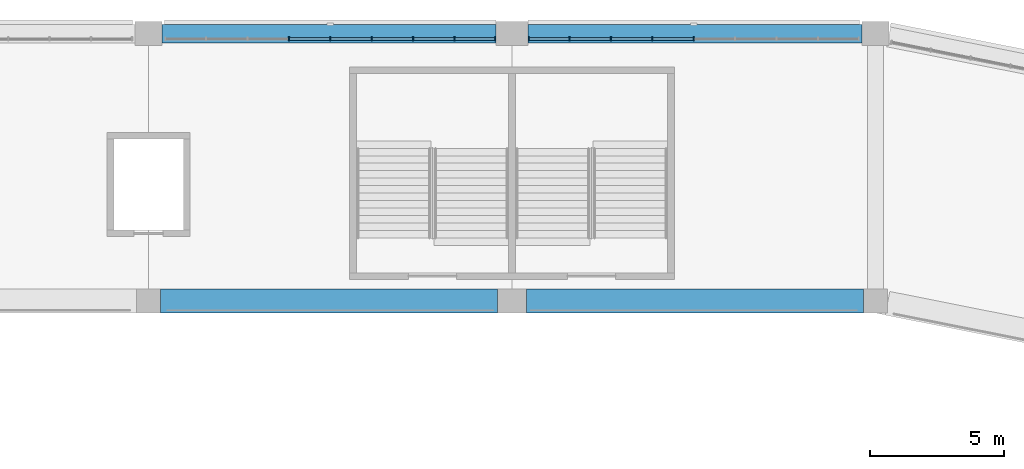
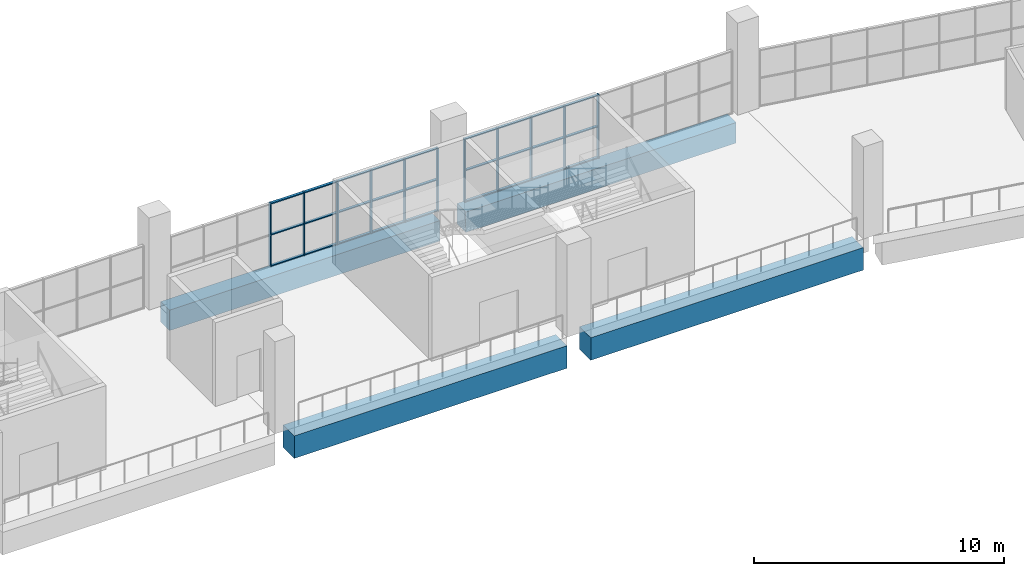
# One storey, part 34 of 177: 38 members, 4 beams, 2 elements without a shape of their own.
"""IFC4 building model written with IfcOpenShell, lengths in metres."""

from ifc_helpers import new_model, si_unit, direction, frame, origin, origin_2d, place, context, subcontext, project, spatial, rectangle, extrude, material, material_profile, profile_set, type_object, element, aggregate, save


model = new_model("IFC4")

# Units and contexts
model_context = context("Model", 3, precision=1e-05, world=origin(), true_north=direction((0.0, 1.0)))
body_context = subcontext(model_context, "Body", "Model", "MODEL_VIEW")
ifc_project = project(units=[si_unit("LENGTHUNIT", "METRE"), si_unit("AREAUNIT", "SQUARE_METRE"), si_unit("VOLUMEUNIT", "CUBIC_METRE"), si_unit("PLANEANGLEUNIT", "RADIAN"), si_unit("MASSUNIT", "GRAM", prefix="KILO")], contexts=[model_context])

# Site, building, storey
site_placement = place(None, origin())
site = spatial("IfcSite", under=ifc_project, at=site_placement, CompositionType="ELEMENT")
building_placement = place(site_placement, origin())
building = spatial("IfcBuilding", under=site, at=building_placement, Name="Ogive Plaza Stadium", CompositionType="ELEMENT")
storey_placement = place(building_placement, frame((0.0, 0.0, 18.0)))
storey = spatial("IfcBuildingStorey", under=building, at=storey_placement, Name="L04", CompositionType="ELEMENT", Elevation=18.0)

# Curtain wall, members
ifc_material_1 = material(Name="Bronze-anodised aluminium with laminated glass", Category="aluminium")
curtain_wall_type = type_object("IfcCurtainWallType", Name="Lancet curtain wall", PredefinedType="NOTDEFINED", material=ifc_material_1)
curtain_wall_1_placement = place(storey_placement, origin())
curtain_wall_1 = element("IfcCurtainWall", 1, at=curtain_wall_1_placement, inside=storey, type_object=curtain_wall_type, Name="CURTAIN WALL B35 L04", PredefinedType="NOTDEFINED")
ifc_material_2 = material(Name="Bronze-anodised aluminium", Category="aluminium")
ifc_material_profile_1 = material_profile(ifc_material_2, rectangle(XDim=0.14990234375, YDim=0.050048828125, at=origin_2d()), Name="AL 150x50")
ifc_profile_set_1 = profile_set([ifc_material_profile_1], Name="Bronze-anodised aluminium")
member_type_1 = type_object("IfcMemberType", Name="Curtain wall mullion 50x150", PredefinedType="MULLION", material=ifc_profile_set_1)
member_1_placement = place(storey_placement, frame((12.050048828125, 102.300048828125, 0.0), z_axis=(0.0, 0.0, 1.0), x_axis=(0.0, 1.0, 0.0)))
member_1 = element("IfcMember", 2, at=member_1_placement, type_object=member_type_1, Name="CW-B35-L04 mullion 4", PredefinedType="MULLION", context=body_context, shape_type="SweptSolid", body=[
    extrude(rectangle(XDim=0.14990234375, YDim=0.050048828125, at=origin_2d()), origin(), (0.0, 0.0, 1.0), 3.090087890625),
])
member_2_placement = place(storey_placement, frame((13.60009765625, 102.300048828125, 0.0), z_axis=(0.0, 0.0, 1.0), x_axis=(0.0, 1.0, 0.0)))
member_2 = element("IfcMember", 3, at=member_2_placement, type_object=member_type_1, Name="CW-B35-L04 mullion 5", PredefinedType="MULLION", context=body_context, shape_type="SweptSolid", body=[
    extrude(rectangle(XDim=0.14990234375, YDim=0.050048828125, at=origin_2d()), origin(), (0.0, 0.0, 1.0), 3.090087890625),
])
member_3_placement = place(storey_placement, frame((15.14990234375, 102.300048828125, 0.0), z_axis=(0.0, 0.0, 1.0), x_axis=(0.0, 1.0, 0.0)))
member_3 = element("IfcMember", 4, at=member_3_placement, type_object=member_type_1, Name="CW-B35-L04 mullion 6", PredefinedType="MULLION", context=body_context, shape_type="SweptSolid", body=[
    extrude(rectangle(XDim=0.14990234375, YDim=0.050048828125, at=origin_2d()), origin(), (0.0, 0.0, 1.0), 3.090087890625),
])
member_4_placement = place(storey_placement, frame((16.699951171875, 102.300048828125, 0.0), z_axis=(0.0, 0.0, 1.0), x_axis=(0.0, 1.0, 0.0)))
member_4 = element("IfcMember", 5, at=member_4_placement, type_object=member_type_1, Name="CW-B35-L04 mullion 7", PredefinedType="MULLION", context=body_context, shape_type="SweptSolid", body=[
    extrude(rectangle(XDim=0.14990234375, YDim=0.050048828125, at=origin_2d()), origin(), (0.0, 0.0, 1.0), 3.090087890625),
])
member_5_placement = place(storey_placement, frame((18.25, 102.300048828125, 0.0), z_axis=(0.0, 0.0, 1.0), x_axis=(0.0, 1.0, 0.0)))
member_5 = element("IfcMember", 6, at=member_5_placement, type_object=member_type_1, Name="CW-B35-L04 mullion 8", PredefinedType="MULLION", context=body_context, shape_type="SweptSolid", body=[
    extrude(rectangle(XDim=0.14990234375, YDim=0.050048828125, at=origin_2d()), origin(), (0.0, 0.0, 1.0), 3.090087890625),
])
member_6_placement = place(storey_placement, frame((19.77490234375, 102.300048828125, 0.0), z_axis=(0.0, 0.0, 1.0), x_axis=(0.0, 1.0, 0.0)))
member_6 = element("IfcMember", 7, at=member_6_placement, type_object=member_type_1, Name="CW-B35-L04 mullion 9", PredefinedType="MULLION", context=body_context, shape_type="SweptSolid", body=[
    extrude(rectangle(XDim=0.14990234375, YDim=0.050048828125, at=origin_2d()), origin(), (0.0, 0.0, 1.0), 3.090087890625),
])

curtain_wall_2_placement = place(storey_placement, origin())
curtain_wall_2 = element("IfcCurtainWall", 8, at=curtain_wall_2_placement, inside=storey, type_object=curtain_wall_type, Name="CURTAIN WALL B36 L04", PredefinedType="NOTDEFINED")
member_7_placement = place(storey_placement, frame((21.02490234375, 102.300048828125, 0.0), z_axis=(0.0, 0.0, 1.0), x_axis=(0.0, 1.0, 0.0)))
member_7 = element("IfcMember", 9, at=member_7_placement, type_object=member_type_1, Name="CW-B36-L04 mullion 1", PredefinedType="MULLION", context=body_context, shape_type="SweptSolid", body=[
    extrude(rectangle(XDim=0.14990234375, YDim=0.050048828125, at=origin_2d()), origin(), (0.0, 0.0, 1.0), 3.090087890625),
])
member_8_placement = place(storey_placement, frame((22.550048828125, 102.300048828125, 0.0), z_axis=(0.0, 0.0, 1.0), x_axis=(0.0, 1.0, 0.0)))
member_8 = element("IfcMember", 10, at=member_8_placement, type_object=member_type_1, Name="CW-B36-L04 mullion 2", PredefinedType="MULLION", context=body_context, shape_type="SweptSolid", body=[
    extrude(rectangle(XDim=0.14990234375, YDim=0.050048828125, at=origin_2d()), origin(), (0.0, 0.0, 1.0), 3.090087890625),
])
member_9_placement = place(storey_placement, frame((24.10009765625, 102.300048828125, 0.0), z_axis=(0.0, 0.0, 1.0), x_axis=(0.0, 1.0, 0.0)))
member_9 = element("IfcMember", 11, at=member_9_placement, type_object=member_type_1, Name="CW-B36-L04 mullion 3", PredefinedType="MULLION", context=body_context, shape_type="SweptSolid", body=[
    extrude(rectangle(XDim=0.14990234375, YDim=0.050048828125, at=origin_2d()), origin(), (0.0, 0.0, 1.0), 3.090087890625),
])
member_10_placement = place(storey_placement, frame((25.64990234375, 102.300048828125, 0.0), z_axis=(0.0, 0.0, 1.0), x_axis=(0.0, 1.0, 0.0)))
member_10 = element("IfcMember", 12, at=member_10_placement, type_object=member_type_1, Name="CW-B36-L04 mullion 4", PredefinedType="MULLION", context=body_context, shape_type="SweptSolid", body=[
    extrude(rectangle(XDim=0.14990234375, YDim=0.050048828125, at=origin_2d()), origin(), (0.0, 0.0, 1.0), 3.090087890625),
])
member_11_placement = place(storey_placement, frame((27.199951171875, 102.300048828125, 0.0), z_axis=(0.0, 0.0, 1.0), x_axis=(0.0, 1.0, 0.0)))
member_11 = element("IfcMember", 13, at=member_11_placement, type_object=member_type_1, Name="CW-B36-L04 mullion 5", PredefinedType="MULLION", context=body_context, shape_type="SweptSolid", body=[
    extrude(rectangle(XDim=0.14990234375, YDim=0.050048828125, at=origin_2d()), origin(), (0.0, 0.0, 1.0), 3.090087890625),
])

# Member
ifc_material_3 = material(Name="Bronze-anodised aluminium", Category="aluminium")
ifc_material_profile_2 = material_profile(ifc_material_3, rectangle(XDim=0.1201171875, YDim=0.050048828125, at=origin_2d()), Name="AL 120x50")
ifc_profile_set_2 = profile_set([ifc_material_profile_2], Name="Bronze-anodised aluminium")
member_type_2 = type_object("IfcMemberType", Name="Curtain wall transom 50x120", PredefinedType="USERDEFINED", material=ifc_profile_set_2)
member_12_placement = place(storey_placement, frame((12.074951171875, 102.300048828125, 0.02490234375), z_axis=(1.0, 0.0, 0.0), x_axis=(0.0, 1.0, 0.0)))
member_12 = element("IfcMember", 14, at=member_12_placement, type_object=member_type_2, Name="CW-B35-L04 transom 4.1", ObjectType="TRANSOM", PredefinedType="USERDEFINED", context=body_context, shape_type="SweptSolid", body=[
    extrude(rectangle(XDim=0.1201171875, YDim=0.050048828125, at=origin_2d()), origin(), (0.0, 0.0, 1.0), 1.5),
])

member_13_placement = place(storey_placement, frame((12.074951171875, 102.300048828125, 1.544921875), z_axis=(1.0, 0.0, 0.0), x_axis=(0.0, 1.0, 0.0)))
member_13 = element("IfcMember", 15, at=member_13_placement, type_object=member_type_2, Name="CW-B35-L04 transom 4.2", ObjectType="TRANSOM", PredefinedType="USERDEFINED", context=body_context, shape_type="SweptSolid", body=[
    extrude(rectangle(XDim=0.1201171875, YDim=0.050048828125, at=origin_2d()), origin(), (0.0, 0.0, 1.0), 1.5),
])

member_14_placement = place(storey_placement, frame((12.074951171875, 102.300048828125, 3.06494140625), z_axis=(1.0, 0.0, 0.0), x_axis=(0.0, 1.0, 0.0)))
member_14 = element("IfcMember", 16, at=member_14_placement, type_object=member_type_2, Name="CW-B35-L04 transom 4.3", ObjectType="TRANSOM", PredefinedType="USERDEFINED", context=body_context, shape_type="SweptSolid", body=[
    extrude(rectangle(XDim=0.1201171875, YDim=0.050048828125, at=origin_2d()), origin(), (0.0, 0.0, 1.0), 1.5),
])

member_15_placement = place(storey_placement, frame((13.625, 102.300048828125, 0.02490234375), z_axis=(1.0, 0.0, 0.0), x_axis=(0.0, 1.0, 0.0)))
member_15 = element("IfcMember", 17, at=member_15_placement, type_object=member_type_2, Name="CW-B35-L04 transom 5.1", ObjectType="TRANSOM", PredefinedType="USERDEFINED", context=body_context, shape_type="SweptSolid", body=[
    extrude(rectangle(XDim=0.1201171875, YDim=0.050048828125, at=origin_2d()), origin(), (0.0, 0.0, 1.0), 1.5),
])

member_16_placement = place(storey_placement, frame((13.625, 102.300048828125, 1.544921875), z_axis=(1.0, 0.0, 0.0), x_axis=(0.0, 1.0, 0.0)))
member_16 = element("IfcMember", 18, at=member_16_placement, type_object=member_type_2, Name="CW-B35-L04 transom 5.2", ObjectType="TRANSOM", PredefinedType="USERDEFINED", context=body_context, shape_type="SweptSolid", body=[
    extrude(rectangle(XDim=0.1201171875, YDim=0.050048828125, at=origin_2d()), origin(), (0.0, 0.0, 1.0), 1.5),
])

member_17_placement = place(storey_placement, frame((13.625, 102.300048828125, 3.06494140625), z_axis=(1.0, 0.0, 0.0), x_axis=(0.0, 1.0, 0.0)))
member_17 = element("IfcMember", 19, at=member_17_placement, type_object=member_type_2, Name="CW-B35-L04 transom 5.3", ObjectType="TRANSOM", PredefinedType="USERDEFINED", context=body_context, shape_type="SweptSolid", body=[
    extrude(rectangle(XDim=0.1201171875, YDim=0.050048828125, at=origin_2d()), origin(), (0.0, 0.0, 1.0), 1.5),
])

member_18_placement = place(storey_placement, frame((15.175048828125, 102.300048828125, 0.02490234375), z_axis=(1.0, 0.0, 0.0), x_axis=(0.0, 1.0, 0.0)))
member_18 = element("IfcMember", 20, at=member_18_placement, type_object=member_type_2, Name="CW-B35-L04 transom 6.1", ObjectType="TRANSOM", PredefinedType="USERDEFINED", context=body_context, shape_type="SweptSolid", body=[
    extrude(rectangle(XDim=0.1201171875, YDim=0.050048828125, at=origin_2d()), origin(), (0.0, 0.0, 1.0), 1.5),
])

member_19_placement = place(storey_placement, frame((15.175048828125, 102.300048828125, 1.544921875), z_axis=(1.0, 0.0, 0.0), x_axis=(0.0, 1.0, 0.0)))
member_19 = element("IfcMember", 21, at=member_19_placement, type_object=member_type_2, Name="CW-B35-L04 transom 6.2", ObjectType="TRANSOM", PredefinedType="USERDEFINED", context=body_context, shape_type="SweptSolid", body=[
    extrude(rectangle(XDim=0.1201171875, YDim=0.050048828125, at=origin_2d()), origin(), (0.0, 0.0, 1.0), 1.5),
])

member_20_placement = place(storey_placement, frame((15.175048828125, 102.300048828125, 3.06494140625), z_axis=(1.0, 0.0, 0.0), x_axis=(0.0, 1.0, 0.0)))
member_20 = element("IfcMember", 22, at=member_20_placement, type_object=member_type_2, Name="CW-B35-L04 transom 6.3", ObjectType="TRANSOM", PredefinedType="USERDEFINED", context=body_context, shape_type="SweptSolid", body=[
    extrude(rectangle(XDim=0.1201171875, YDim=0.050048828125, at=origin_2d()), origin(), (0.0, 0.0, 1.0), 1.5),
])

member_21_placement = place(storey_placement, frame((16.72509765625, 102.300048828125, 0.02490234375), z_axis=(1.0, 0.0, 0.0), x_axis=(0.0, 1.0, 0.0)))
member_21 = element("IfcMember", 23, at=member_21_placement, type_object=member_type_2, Name="CW-B35-L04 transom 7.1", ObjectType="TRANSOM", PredefinedType="USERDEFINED", context=body_context, shape_type="SweptSolid", body=[
    extrude(rectangle(XDim=0.1201171875, YDim=0.050048828125, at=origin_2d()), origin(), (0.0, 0.0, 1.0), 1.5),
])

member_22_placement = place(storey_placement, frame((16.72509765625, 102.300048828125, 1.544921875), z_axis=(1.0, 0.0, 0.0), x_axis=(0.0, 1.0, 0.0)))
member_22 = element("IfcMember", 24, at=member_22_placement, type_object=member_type_2, Name="CW-B35-L04 transom 7.2", ObjectType="TRANSOM", PredefinedType="USERDEFINED", context=body_context, shape_type="SweptSolid", body=[
    extrude(rectangle(XDim=0.1201171875, YDim=0.050048828125, at=origin_2d()), origin(), (0.0, 0.0, 1.0), 1.5),
])

member_23_placement = place(storey_placement, frame((16.72509765625, 102.300048828125, 3.06494140625), z_axis=(1.0, 0.0, 0.0), x_axis=(0.0, 1.0, 0.0)))
member_23 = element("IfcMember", 25, at=member_23_placement, type_object=member_type_2, Name="CW-B35-L04 transom 7.3", ObjectType="TRANSOM", PredefinedType="USERDEFINED", context=body_context, shape_type="SweptSolid", body=[
    extrude(rectangle(XDim=0.1201171875, YDim=0.050048828125, at=origin_2d()), origin(), (0.0, 0.0, 1.0), 1.5),
])

member_24_placement = place(storey_placement, frame((18.27490234375, 102.300048828125, 0.02490234375), z_axis=(1.0, 0.0, 0.0), x_axis=(0.0, 1.0, 0.0)))
member_24 = element("IfcMember", 26, at=member_24_placement, type_object=member_type_2, Name="CW-B35-L04 transom 8.1", ObjectType="TRANSOM", PredefinedType="USERDEFINED", context=body_context, shape_type="SweptSolid", body=[
    extrude(rectangle(XDim=0.1201171875, YDim=0.050048828125, at=origin_2d()), origin(), (0.0, 0.0, 1.0), 1.47509765625),
])

member_25_placement = place(storey_placement, frame((18.27490234375, 102.300048828125, 1.544921875), z_axis=(1.0, 0.0, 0.0), x_axis=(0.0, 1.0, 0.0)))
member_25 = element("IfcMember", 27, at=member_25_placement, type_object=member_type_2, Name="CW-B35-L04 transom 8.2", ObjectType="TRANSOM", PredefinedType="USERDEFINED", context=body_context, shape_type="SweptSolid", body=[
    extrude(rectangle(XDim=0.1201171875, YDim=0.050048828125, at=origin_2d()), origin(), (0.0, 0.0, 1.0), 1.47509765625),
])

member_26_placement = place(storey_placement, frame((18.27490234375, 102.300048828125, 3.06494140625), z_axis=(1.0, 0.0, 0.0), x_axis=(0.0, 1.0, 0.0)))
member_26 = element("IfcMember", 28, at=member_26_placement, type_object=member_type_2, Name="CW-B35-L04 transom 8.3", ObjectType="TRANSOM", PredefinedType="USERDEFINED", context=body_context, shape_type="SweptSolid", body=[
    extrude(rectangle(XDim=0.1201171875, YDim=0.050048828125, at=origin_2d()), origin(), (0.0, 0.0, 1.0), 1.47509765625),
])

aggregate(curtain_wall_1, [member_1, member_2, member_3, member_4, member_5, member_6, member_12, member_13, member_14, member_15, member_16, member_17, member_18, member_19, member_20, member_21, member_22, member_23, member_24, member_25, member_26])

member_27_placement = place(storey_placement, frame((21.050048828125, 102.300048828125, 0.02490234375), z_axis=(1.0, 0.0, 0.0), x_axis=(0.0, 1.0, 0.0)))
member_27 = element("IfcMember", 29, at=member_27_placement, type_object=member_type_2, Name="CW-B36-L04 transom 1.1", ObjectType="TRANSOM", PredefinedType="USERDEFINED", context=body_context, shape_type="SweptSolid", body=[
    extrude(rectangle(XDim=0.1201171875, YDim=0.050048828125, at=origin_2d()), origin(), (0.0, 0.0, 1.0), 1.474853515625),
])

member_28_placement = place(storey_placement, frame((21.050048828125, 102.300048828125, 1.544921875), z_axis=(1.0, 0.0, 0.0), x_axis=(0.0, 1.0, 0.0)))
member_28 = element("IfcMember", 30, at=member_28_placement, type_object=member_type_2, Name="CW-B36-L04 transom 1.2", ObjectType="TRANSOM", PredefinedType="USERDEFINED", context=body_context, shape_type="SweptSolid", body=[
    extrude(rectangle(XDim=0.1201171875, YDim=0.050048828125, at=origin_2d()), origin(), (0.0, 0.0, 1.0), 1.474853515625),
])

member_29_placement = place(storey_placement, frame((21.050048828125, 102.300048828125, 3.06494140625), z_axis=(1.0, 0.0, 0.0), x_axis=(0.0, 1.0, 0.0)))
member_29 = element("IfcMember", 31, at=member_29_placement, type_object=member_type_2, Name="CW-B36-L04 transom 1.3", ObjectType="TRANSOM", PredefinedType="USERDEFINED", context=body_context, shape_type="SweptSolid", body=[
    extrude(rectangle(XDim=0.1201171875, YDim=0.050048828125, at=origin_2d()), origin(), (0.0, 0.0, 1.0), 1.474853515625),
])

member_30_placement = place(storey_placement, frame((22.574951171875, 102.300048828125, 0.02490234375), z_axis=(1.0, 0.0, 0.0), x_axis=(0.0, 1.0, 0.0)))
member_30 = element("IfcMember", 32, at=member_30_placement, type_object=member_type_2, Name="CW-B36-L04 transom 2.1", ObjectType="TRANSOM", PredefinedType="USERDEFINED", context=body_context, shape_type="SweptSolid", body=[
    extrude(rectangle(XDim=0.1201171875, YDim=0.050048828125, at=origin_2d()), origin(), (0.0, 0.0, 1.0), 1.5),
])

member_31_placement = place(storey_placement, frame((22.574951171875, 102.300048828125, 1.544921875), z_axis=(1.0, 0.0, 0.0), x_axis=(0.0, 1.0, 0.0)))
member_31 = element("IfcMember", 33, at=member_31_placement, type_object=member_type_2, Name="CW-B36-L04 transom 2.2", ObjectType="TRANSOM", PredefinedType="USERDEFINED", context=body_context, shape_type="SweptSolid", body=[
    extrude(rectangle(XDim=0.1201171875, YDim=0.050048828125, at=origin_2d()), origin(), (0.0, 0.0, 1.0), 1.5),
])

member_32_placement = place(storey_placement, frame((22.574951171875, 102.300048828125, 3.06494140625), z_axis=(1.0, 0.0, 0.0), x_axis=(0.0, 1.0, 0.0)))
member_32 = element("IfcMember", 34, at=member_32_placement, type_object=member_type_2, Name="CW-B36-L04 transom 2.3", ObjectType="TRANSOM", PredefinedType="USERDEFINED", context=body_context, shape_type="SweptSolid", body=[
    extrude(rectangle(XDim=0.1201171875, YDim=0.050048828125, at=origin_2d()), origin(), (0.0, 0.0, 1.0), 1.5),
])

member_33_placement = place(storey_placement, frame((24.125, 102.300048828125, 0.02490234375), z_axis=(1.0, 0.0, 0.0), x_axis=(0.0, 1.0, 0.0)))
member_33 = element("IfcMember", 35, at=member_33_placement, type_object=member_type_2, Name="CW-B36-L04 transom 3.1", ObjectType="TRANSOM", PredefinedType="USERDEFINED", context=body_context, shape_type="SweptSolid", body=[
    extrude(rectangle(XDim=0.1201171875, YDim=0.050048828125, at=origin_2d()), origin(), (0.0, 0.0, 1.0), 1.5),
])

member_34_placement = place(storey_placement, frame((24.125, 102.300048828125, 1.544921875), z_axis=(1.0, 0.0, 0.0), x_axis=(0.0, 1.0, 0.0)))
member_34 = element("IfcMember", 36, at=member_34_placement, type_object=member_type_2, Name="CW-B36-L04 transom 3.2", ObjectType="TRANSOM", PredefinedType="USERDEFINED", context=body_context, shape_type="SweptSolid", body=[
    extrude(rectangle(XDim=0.1201171875, YDim=0.050048828125, at=origin_2d()), origin(), (0.0, 0.0, 1.0), 1.5),
])

member_35_placement = place(storey_placement, frame((24.125, 102.300048828125, 3.06494140625), z_axis=(1.0, 0.0, 0.0), x_axis=(0.0, 1.0, 0.0)))
member_35 = element("IfcMember", 37, at=member_35_placement, type_object=member_type_2, Name="CW-B36-L04 transom 3.3", ObjectType="TRANSOM", PredefinedType="USERDEFINED", context=body_context, shape_type="SweptSolid", body=[
    extrude(rectangle(XDim=0.1201171875, YDim=0.050048828125, at=origin_2d()), origin(), (0.0, 0.0, 1.0), 1.5),
])

member_36_placement = place(storey_placement, frame((25.675048828125, 102.300048828125, 0.02490234375), z_axis=(1.0, 0.0, 0.0), x_axis=(0.0, 1.0, 0.0)))
member_36 = element("IfcMember", 38, at=member_36_placement, type_object=member_type_2, Name="CW-B36-L04 transom 4.1", ObjectType="TRANSOM", PredefinedType="USERDEFINED", context=body_context, shape_type="SweptSolid", body=[
    extrude(rectangle(XDim=0.1201171875, YDim=0.050048828125, at=origin_2d()), origin(), (0.0, 0.0, 1.0), 1.5),
])

member_37_placement = place(storey_placement, frame((25.675048828125, 102.300048828125, 1.544921875), z_axis=(1.0, 0.0, 0.0), x_axis=(0.0, 1.0, 0.0)))
member_37 = element("IfcMember", 39, at=member_37_placement, type_object=member_type_2, Name="CW-B36-L04 transom 4.2", ObjectType="TRANSOM", PredefinedType="USERDEFINED", context=body_context, shape_type="SweptSolid", body=[
    extrude(rectangle(XDim=0.1201171875, YDim=0.050048828125, at=origin_2d()), origin(), (0.0, 0.0, 1.0), 1.5),
])

member_38_placement = place(storey_placement, frame((25.675048828125, 102.300048828125, 3.06494140625), z_axis=(1.0, 0.0, 0.0), x_axis=(0.0, 1.0, 0.0)))
member_38 = element("IfcMember", 40, at=member_38_placement, type_object=member_type_2, Name="CW-B36-L04 transom 4.3", ObjectType="TRANSOM", PredefinedType="USERDEFINED", context=body_context, shape_type="SweptSolid", body=[
    extrude(rectangle(XDim=0.1201171875, YDim=0.050048828125, at=origin_2d()), origin(), (0.0, 0.0, 1.0), 1.5),
])

aggregate(curtain_wall_2, [member_7, member_8, member_9, member_10, member_11, member_27, member_28, member_29, member_30, member_31, member_32, member_33, member_34, member_35, member_36, member_37, member_38])

# Beams
ifc_material_4 = material(Name="Concrete C40/50", Category="concrete")
ifc_material_profile_3 = material_profile(ifc_material_4, rectangle(XDim=0.89990234375, YDim=1.10009765625, at=origin_2d()), Name="RC 900x1100")
ifc_profile_set_3 = profile_set([ifc_material_profile_3], Name="Concrete C40/50")
beam_type_1 = type_object("IfcBeamType", Name="RC ring beam 900x1100", PredefinedType="BEAM", material=ifc_profile_set_3)
for number, where, z_axis, x_axis, name in (
    (41, (7.25, 92.5, -0.9599609375), (1.0, 0.0, 0.0), (0.0, 1.0, 0.0), "Ring beam F4 L04 B35"),
    (42, (20.949951171875, 92.5, -0.9599609375), (1.0, 0.0, 0.0), (0.0, 1.0, 0.0), "Ring beam F4 L04 B36"),
):
    element("IfcBeam", number, at=place(storey_placement, frame(where, z_axis=z_axis, x_axis=x_axis)), inside=storey, type_object=beam_type_1, Name=name, PredefinedType="BEAM", context=body_context, shape_type="SweptSolid", body=[
        extrude(rectangle(XDim=0.89990234375, YDim=1.10009765625, at=origin_2d()), origin(), (0.0, 0.0, 1.0), 12.60009765625),
    ])
ifc_material_5 = material(Name="Concrete C40/50", Category="concrete")
ifc_material_profile_4 = material_profile(ifc_material_5, rectangle(XDim=0.699951171875, YDim=1.0, at=origin_2d()), Name="RC 700x1000")
ifc_profile_set_4 = profile_set([ifc_material_profile_4], Name="Concrete C40/50")
beam_type_2 = type_object("IfcBeamType", Name="RC spandrel beam 700x1000", PredefinedType="SPANDREL", material=ifc_profile_set_4)
for number, where, z_axis, x_axis, name in (
    (43, (7.300048828125, 102.5, -0.909912109375), (1.0, 0.0, 0.0), (0.0, 1.0, 0.0), "Ring beam F5 L04 B35"),
    (44, (21.0, 102.5, -0.909912109375), (1.0, 0.0, 0.0), (0.0, 1.0, 0.0), "Ring beam F5 L04 B36"),
):
    element("IfcBeam", number, at=place(storey_placement, frame(where, z_axis=z_axis, x_axis=x_axis)), inside=storey, type_object=beam_type_2, Name=name, PredefinedType="SPANDREL", context=body_context, shape_type="SweptSolid", body=[
        extrude(rectangle(XDim=0.699951171875, YDim=1.0, at=origin_2d()), origin(), (0.0, 0.0, 1.0), 12.5),
    ])

save(model, "model.ifc")
